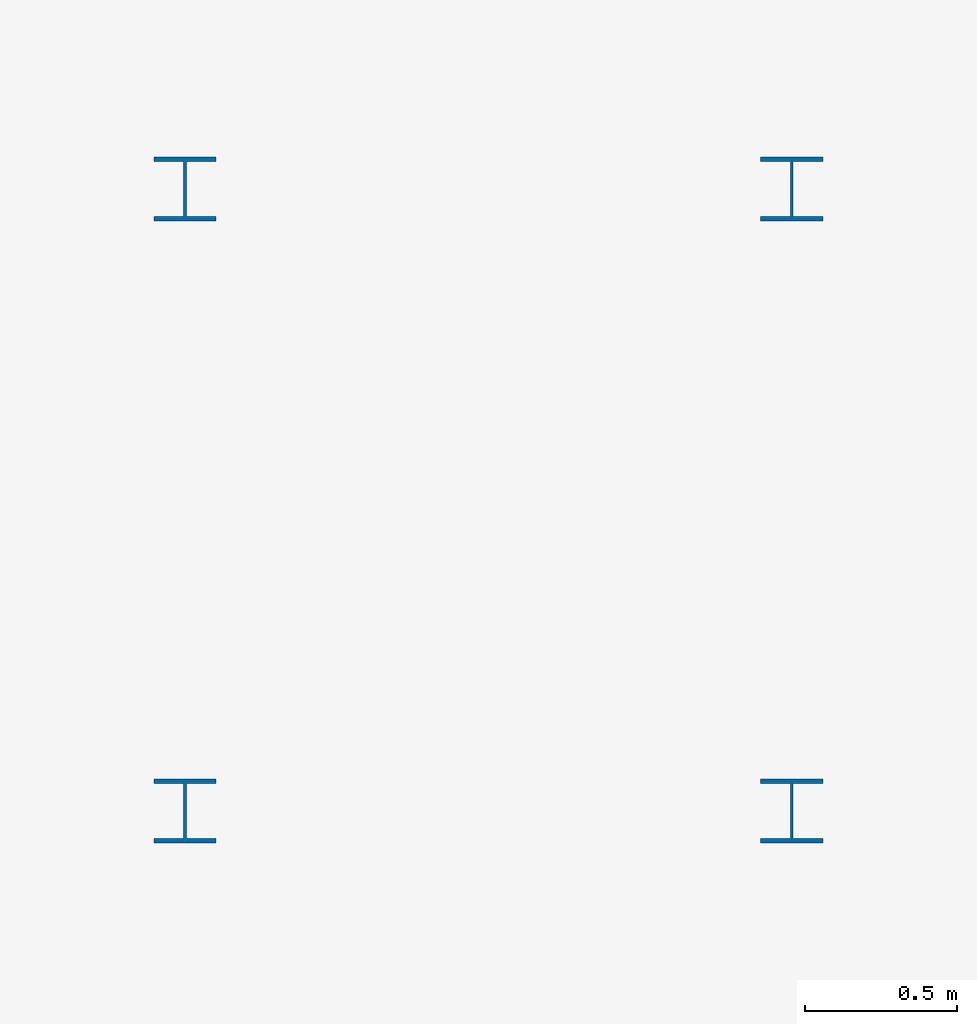
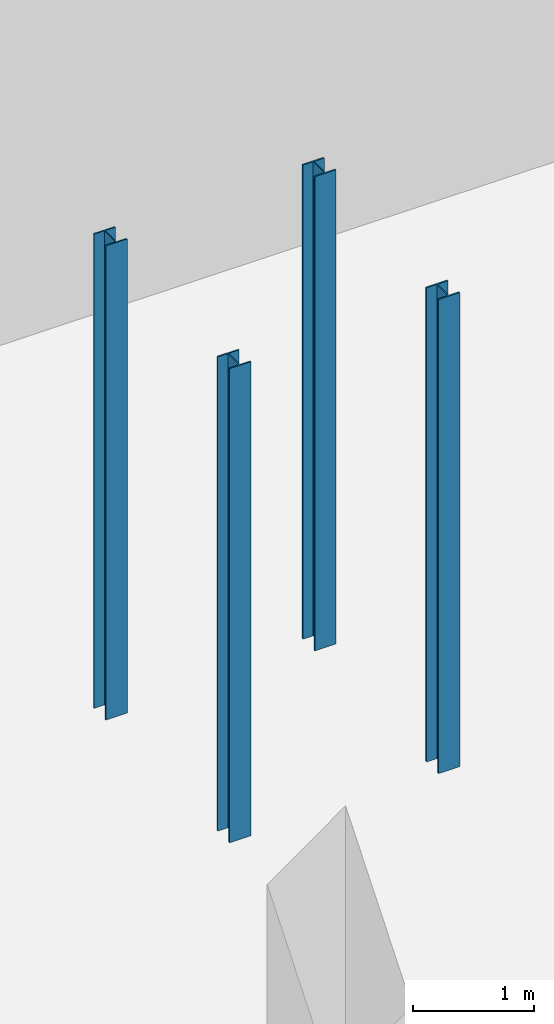
# One storey, part 12 of 34: 4 columns.
"""IFC4 building model written with IfcOpenShell, lengths in metres."""

from ifc_helpers import new_model, si_unit, direction, frame, origin, origin_2d, place, context, subcontext, project, spatial, i_section, extrude, material, material_profile, profile_set, type_object, element, save


model = new_model("IFC4")

# Units and contexts
model_context = context("Model", 3, precision=1e-05, world=origin(), true_north=direction((0.0, 1.0)))
body_context = subcontext(model_context, "Body", "Model", "MODEL_VIEW")
ifc_project = project(units=[si_unit("LENGTHUNIT", "METRE"), si_unit("AREAUNIT", "SQUARE_METRE"), si_unit("VOLUMEUNIT", "CUBIC_METRE"), si_unit("PLANEANGLEUNIT", "RADIAN"), si_unit("MASSUNIT", "GRAM", prefix="KILO"), si_unit("POWERUNIT", "WATT"), si_unit("THERMODYNAMICTEMPERATUREUNIT", "KELVIN")], contexts=[model_context])

# Site, building, storey
site_placement = place(None, origin())
site = spatial("IfcSite", under=ifc_project, at=site_placement, CompositionType="ELEMENT")
building_placement = place(site_placement, origin())
building = spatial("IfcBuilding", under=site, at=building_placement, Name="Kelmbourne Parkland Aquatics Centre", CompositionType="ELEMENT")
storey_placement = place(building_placement, frame((0.0, 0.0, -4.800048828125)))
storey = spatial("IfcBuildingStorey", under=building, at=storey_placement, Name="B1", CompositionType="ELEMENT", Elevation=-4.800048828125)

# Columns
ifc_material = material(Name="Structural steel AS/NZS 3679.1 Grade 300", Category="steel")
ifc_material_profile = material_profile(ifc_material, i_section(OverallWidth=0.205078125, OverallDepth=0.2099609375, WebThickness=0.00927734375, FlangeThickness=0.01416015625, at=origin_2d()), Name="200UC59.5")
ifc_profile_set = profile_set([ifc_material_profile], Name="Structural steel AS/NZS 3679.1 Grade 300")
column_type = type_object("IfcColumnType", Name="COL-C19", PredefinedType="COLUMN", material=ifc_profile_set)
for number, where, z_axis, x_axis, name in (
    (1, (57.5, 16.550048828125, 0.0), (0.0, 0.0, 1.0), (1.0, 0.0, 0.0), "Feature stair FS01 basement post 1"),
    (2, (59.5, 16.550048828125, 0.0), (0.0, 0.0, 1.0), (1.0, 0.0, 0.0), "Feature stair FS01 basement post 2"),
    (3, (57.5, 18.60009765625, 0.0), (0.0, 0.0, 1.0), (1.0, 0.0, 0.0), "Feature stair FS01 basement post 3"),
    (4, (59.5, 18.60009765625, 0.0), (0.0, 0.0, 1.0), (1.0, 0.0, 0.0), "Feature stair FS01 basement post 4"),
):
    element("IfcColumn", number, at=place(storey_placement, frame(where, z_axis=z_axis, x_axis=x_axis)), inside=storey, type_object=column_type, Name=name, PredefinedType="COLUMN", context=body_context, shape_type="SweptSolid", body=[
        extrude(i_section(OverallWidth=0.205078125, OverallDepth=0.2099609375, WebThickness=0.00927734375, FlangeThickness=0.01416015625, at=origin_2d()), origin(), (0.0, 0.0, 1.0), 4.800048828125),
    ])

save(model, "model.ifc")
